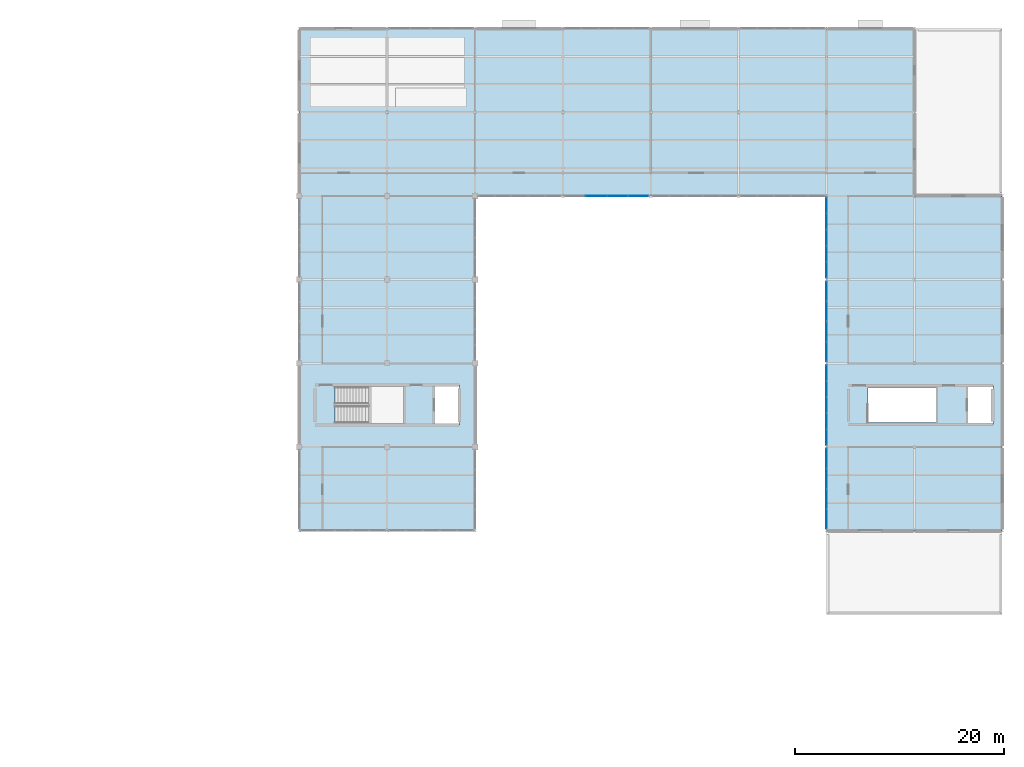
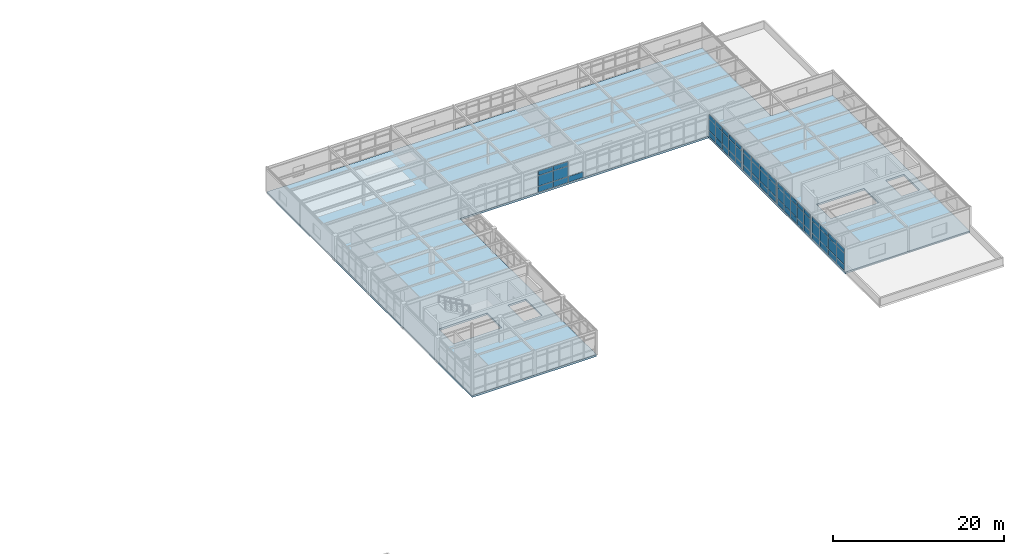
# One storey, part 38 of 53: 61 plates, 1 slab, 5 elements without a shape of their own.
"""IFC4 building model written with IfcOpenShell, lengths in metres."""

import ifcopenshell
import ifcopenshell.guid

model = None  # the IFC model being written
_history = None  # IfcOwnerHistory: only IFC2X3 demands one
_inside = {}  # id of a spatial element -> (the spatial element, [elements in it])
_under = {}  # id of a project, library or spatial element -> (it, [spatial elements below it])
_declared = {}  # id of a project -> (the project, [libraries it declares])
_typed = {}  # id of a type object -> (the type object, [elements of that type])
_made_of = {}  # id of a material, layer set ... -> (it, [elements and type objects made of it])


def new_model(schema):
    """Start an empty IFC model of exactly this schema.

    Asked for "IFC4X3", IfcOpenShell would pick the latest addendum, in which some entities
    have other attributes; the version numbers below select the first issue.
    IFC2X3 requires an IfcOwnerHistory on every rooted entity: one is made here for all.
    """
    global model, _history
    if schema == "IFC4X3":
        model = ifcopenshell.file(schema_version=(4, 3, 0, 0))
    else:
        model = ifcopenshell.file(schema=schema)
    _inside.clear()
    _under.clear()
    _declared.clear()
    _typed.clear()
    _made_of.clear()
    _history = None
    if model.schema == "IFC2X3":
        org = make("IfcOrganization", Name="unknown")
        user = make(
            "IfcPersonAndOrganization",
            ThePerson=make("IfcPerson", FamilyName="unknown"),
            TheOrganization=org,
        )
        app = make(
            "IfcApplication",
            ApplicationDeveloper=org,
            Version="unknown",
            ApplicationFullName="unknown",
            ApplicationIdentifier="unknown",
        )
        _history = make(
            "IfcOwnerHistory",
            OwningUser=user,
            OwningApplication=app,
            ChangeAction="ADDED",
            CreationDate=0,
        )
    return model


def make(cls, **values):
    """One entity of the class cls with the attributes given. An attribute that is None is left unset."""
    return model.create_entity(
        cls, **{name: value for name, value in values.items() if value is not None}
    )


def rooted(cls, **values):
    """An entity with a GlobalId (a new one), such as an element, a storey or a relation."""
    return make(cls, GlobalId=ifcopenshell.guid.new(), OwnerHistory=_history, **values)


def si_unit(unit_type, name, prefix=None):
    """IfcSIUnit, for example si_unit("LENGTHUNIT", "METRE", prefix="MILLI")."""
    return make("IfcSIUnit", UnitType=unit_type, Prefix=prefix, Name=name)


def assignment(units):
    """IfcUnitAssignment: the units of a project."""
    return None if units is None else make("IfcUnitAssignment", Units=units)


def point(xyz):
    """IfcCartesianPoint."""
    return None if xyz is None else make("IfcCartesianPoint", Coordinates=xyz)


def direction(xyz):
    """IfcDirection."""
    return None if xyz is None else make("IfcDirection", DirectionRatios=xyz)


def frame(location, z_axis=None, x_axis=None):
    """IfcAxis2Placement3D, a coordinate frame: its origin and axes. An axis left out is left unset."""
    return make(
        "IfcAxis2Placement3D",
        Location=point(location),
        Axis=direction(z_axis),
        RefDirection=direction(x_axis),
    )


def frame_2d(location, x_axis=None):
    """IfcAxis2Placement2D, a coordinate frame in the plane: its origin and x axis."""
    return make(
        "IfcAxis2Placement2D", Location=point(location), RefDirection=direction(x_axis)
    )


def origin():
    """The frame at (0, 0, 0) with its axes left unset."""
    return frame((0.0, 0.0, 0.0))


def origin_2d():
    """The frame at (0, 0) in the plane with its x axis left unset."""
    return frame_2d((0.0, 0.0))


def place(relative_to, where):
    """IfcLocalPlacement: puts the frame where relative to a parent placement (None: the world)."""
    return make(
        "IfcLocalPlacement", PlacementRelTo=relative_to, RelativePlacement=where
    )


def context(
    kind, dimensions, precision=None, world=None, true_north=None, identifier=None
):
    """IfcGeometricRepresentationContext, for example the 3D "Model" context."""
    return make(
        "IfcGeometricRepresentationContext",
        ContextIdentifier=identifier,
        ContextType=kind,
        CoordinateSpaceDimension=dimensions,
        Precision=precision,
        WorldCoordinateSystem=world,
        TrueNorth=true_north,
    )


def subcontext(parent, identifier, kind, view, scale=None):
    """IfcGeometricRepresentationSubContext, for example "Body" below "Model"."""
    return make(
        "IfcGeometricRepresentationSubContext",
        ContextIdentifier=identifier,
        ContextType=kind,
        ParentContext=parent,
        TargetScale=scale,
        TargetView=view,
    )


def project(units=None, contexts=None):
    """IfcProject with its units and contexts."""
    return rooted(
        "IfcProject",
        Name="project",
        RepresentationContexts=contexts,
        UnitsInContext=assignment(units),
    )


def spatial(cls, under=None, at=None, **own):
    """A site, building, storey or space (cls), placed at a placement, below another one or the project."""
    s = rooted(cls, ObjectPlacement=at, **own)
    if under is not None:
        _under.setdefault(under.id(), (under, []))[1].append(s)
    return s


def polyline(points):
    """IfcPolyline through the points."""
    return make("IfcPolyline", Points=[point(p) for p in points])


def profile(cls, at=None, kind="AREA", **sizes):
    """A parametric profile (cls). Its sizes go by their IFC names, for example OverallWidth=200.0."""
    return make(cls, ProfileType=kind, Position=at, **sizes)


def rectangle(**sizes):
    """IfcRectangleProfileDef."""
    return profile("IfcRectangleProfileDef", **sizes)


def outline(outer, holes=None, kind="AREA"):
    """IfcArbitraryClosedProfileDef: a profile drawn as a closed curve; with holes, ...WithVoids."""
    if holes is None:
        return make("IfcArbitraryClosedProfileDef", ProfileType=kind, OuterCurve=outer)
    return make(
        "IfcArbitraryProfileDefWithVoids",
        ProfileType=kind,
        OuterCurve=outer,
        InnerCurves=holes,
    )


def extrude(swept, where, along, depth):
    """IfcExtrudedAreaSolid: the profile swept, set in the frame where, extruded along a direction by depth."""
    return make(
        "IfcExtrudedAreaSolid",
        SweptArea=swept,
        Position=where,
        ExtrudedDirection=direction(along),
        Depth=depth,
    )


def shape(context_of_items, identifier, shape_type, items):
    """IfcShapeRepresentation: the items that make up one representation, for example the "Body"."""
    return make(
        "IfcShapeRepresentation",
        ContextOfItems=context_of_items,
        RepresentationIdentifier=identifier,
        RepresentationType=shape_type,
        Items=items,
    )


def material(Name=None, Category=None):
    """IfcMaterial."""
    return make("IfcMaterial", Name=Name, Category=Category)


def layer(
    of_material, thickness, ventilated=None, Name=None, Category=None, Priority=None
):
    """IfcMaterialLayer: one layer of a wall or slab, of a material (None: an air gap)."""
    return make(
        "IfcMaterialLayer",
        Material=of_material,
        LayerThickness=thickness,
        IsVentilated=ventilated,
        Name=Name,
        Category=Category,
        Priority=Priority,
    )


def layer_set(layers, Name=None):
    """IfcMaterialLayerSet."""
    return make("IfcMaterialLayerSet", MaterialLayers=layers, LayerSetName=Name)


def made_of(thing, what):
    """Note that an element or type object is made of a material, layer set ...; save() writes the relation."""
    if what is not None:
        _made_of.setdefault(what.id(), (what, []))[1].append(thing)
    return thing


def type_object(cls, material=None, **own):
    """A type object (cls), such as IfcWallType, which elements share."""
    return made_of(rooted(cls, **own), material)


def element(
    cls,
    number,
    at=None,
    inside=None,
    cuts=None,
    type_object=None,
    material=None,
    context=None,
    identifier="Body",
    shape_type=None,
    held_by="IfcProductDefinitionShape",
    body=None,
    shapes=None,
    **own,
):
    """One element of the class cls, such as IfcWall. Its Tag is "e" and its number.

    at: its placement. inside: the storey or other place that contains it. cuts: it is an
    opening in that element (IfcRelVoidsElement). A single representation is given by context,
    identifier, shape_type and body (its items); several are given by shapes. held_by: the class
    of the entity that holds the representations. save() writes the other relations.
    """
    e = rooted(cls, Tag="e%d" % number, ObjectPlacement=at, **own)
    if body is not None:
        shapes = [shape(context, identifier, shape_type, body)]
    if shapes is not None:
        e.Representation = make(held_by, Representations=shapes)
    if inside is not None:
        _inside.setdefault(inside.id(), (inside, []))[1].append(e)
    if cuts is not None:
        rooted(
            "IfcRelVoidsElement", RelatingBuildingElement=cuts, RelatedOpeningElement=e
        )
    if type_object is not None:
        _typed.setdefault(type_object.id(), (type_object, []))[1].append(e)
    return made_of(e, material)


def aggregate(whole, parts):
    """IfcRelAggregates: a whole, such as a stair, and the parts it consists of."""
    return rooted("IfcRelAggregates", RelatingObject=whole, RelatedObjects=parts)


def save(model, path):
    """Write the relations noted so far, then the file.

    IfcRelAggregates (storeys below a building ...), IfcRelContainedInSpatialStructure (elements
    in a storey), IfcRelDefinesByType, IfcRelAssociatesMaterial and IfcRelDeclares: one each for
    every whole, place, type object, material and project.
    """
    for whole, parts in _under.values():
        aggregate(whole, parts)
    for where, things in _inside.values():
        rooted(
            "IfcRelContainedInSpatialStructure",
            RelatedElements=things,
            RelatingStructure=where,
        )
    for kind, things in _typed.values():
        rooted("IfcRelDefinesByType", RelatedObjects=things, RelatingType=kind)
    for what, things in _made_of.values():
        rooted("IfcRelAssociatesMaterial", RelatedObjects=things, RelatingMaterial=what)
    for by, libraries in _declared.values():
        rooted("IfcRelDeclares", RelatingContext=by, RelatedDefinitions=libraries)
    model.write(path)


model = new_model("IFC4")

# Units and contexts
model_context = context("Model", 3, precision=1e-05, world=origin(), true_north=direction((0.0, 1.0)))
body_context = subcontext(model_context, "Body", "Model", "MODEL_VIEW")
ifc_project = project(units=[si_unit("LENGTHUNIT", "METRE"), si_unit("AREAUNIT", "SQUARE_METRE"), si_unit("VOLUMEUNIT", "CUBIC_METRE"), si_unit("PLANEANGLEUNIT", "RADIAN"), si_unit("MASSUNIT", "GRAM", prefix="KILO")], contexts=[model_context])

# Site, building, storey
site_placement = place(None, origin())
site = spatial("IfcSite", under=ifc_project, at=site_placement, CompositionType="ELEMENT")
building_placement = place(site_placement, origin())
building = spatial("IfcBuilding", under=site, at=building_placement, Name="Kranzveld Transit Interchange", CompositionType="ELEMENT")
storey_placement = place(building_placement, frame((0.0, 0.0, 13.360107421875)))
storey = spatial("IfcBuildingStorey", under=building, at=storey_placement, Name="L03", CompositionType="ELEMENT", Elevation=13.360107421875)

# Slab
ifc_material_1 = material(Name="Concrete C35/45", Category="concrete")
ifc_layer_1 = layer(ifc_material_1, 0.27001953125)
ifc_layer_set_1 = layer_set([ifc_layer_1], Name="Concrete C35/45")
slab_type = type_object("IfcSlabType", Name="Composite Floor Slab 270 C35/45", PredefinedType="FLOOR", material=ifc_layer_set_1)
slab_placement = place(storey_placement, frame((0.0, 0.0, -0.27001953125)))
element("IfcSlab", 1, at=slab_placement, inside=storey, type_object=slab_type, Name="L03 Suspended Floor Slab 3", PredefinedType="FLOOR", context=body_context, shape_type="SweptSolid", body=[
    extrude(outline(polyline([(168.0, 64.0), (151.199951171875, 64.0), (151.199951171875, 96.0), (117.60009765625, 96.0), (117.60009765625, 64.0), (100.800048828125, 64.0), (100.800048828125, 112.0), (117.60009765625, 112.0), (159.60009765625, 112.0), (159.60009765625, 96.0), (168.0, 96.0), (168.0, 64.0)]), holes=[polyline([(110.75, 74.27001953125), (110.75, 77.72998046875), (104.218017578125, 77.72998046875), (104.218017578125, 74.27001953125), (110.75, 74.27001953125)]), polyline([(113.64990234375, 77.909912109375), (113.64990234375, 74.090087890625), (116.10009765625, 74.090087890625), (116.10009765625, 77.909912109375), (113.64990234375, 77.909912109375)]), polyline([(161.64990234375, 77.679931640625), (155.16796875, 77.679931640625), (155.16796875, 74.320068359375), (161.64990234375, 74.320068359375), (161.64990234375, 77.679931640625)]), polyline([(164.64990234375, 77.860107421875), (164.64990234375, 74.139892578125), (167.10009765625, 74.139892578125), (167.10009765625, 77.860107421875), (164.64990234375, 77.860107421875)])]), origin(), (0.0, 0.0, 1.0), 0.27001953125),
])

# Curtain wall, plates
ifc_material_2 = material(Name="Bronze-anodised thermally broken aluminium", Category="aluminium")
ifc_layer_2 = layer(ifc_material_2, 0.159912109375)
ifc_layer_set_2 = layer_set([ifc_layer_2], Name="Bronze-anodised thermally broken aluminium")
curtain_wall_type_1 = type_object("IfcCurtainWallType", Name="Bus Boarding Glazed Screen CW-3", PredefinedType="USERDEFINED", material=ifc_layer_set_2)
curtain_wall_1_placement = place(storey_placement, origin())
curtain_wall_1 = element("IfcCurtainWall", 2, at=curtain_wall_1_placement, inside=storey, type_object=curtain_wall_type_1, Name="L03 Curtain Wall 19/J-19/K", ObjectType="CURTAIN WALL", PredefinedType="USERDEFINED")
ifc_material_3 = material(Name="Solar-control double glazing", Category="glass")
ifc_layer_3 = layer(ifc_material_3, 0.031982421875)
ifc_layer_set_3 = layer_set([ifc_layer_3], Name="Solar-control double glazing")
plate_type_1 = type_object("IfcPlateType", Name="Curtain Panel Acoustic Glazing 32", PredefinedType="CURTAIN_PANEL", material=ifc_layer_set_3)
plate_1_placement = place(storey_placement, frame((151.199951171875, 65.112548828125, 0.059814453125), z_axis=(0.0, 0.0, 1.0), x_axis=(0.0, 1.0, 0.0)))
plate_1 = element("IfcPlate", 3, at=plate_1_placement, type_object=plate_type_1, Name="CW-3 panel 1.1", PredefinedType="CURTAIN_PANEL", context=body_context, shape_type="SweptSolid", body=[
    extrude(rectangle(XDim=1.844970703125, YDim=0.031982421875, at=origin_2d()), origin(), (0.0, 0.0, 1.0), 0.81005859375),
])
plate_2_placement = place(storey_placement, frame((151.199951171875, 65.112548828125, 0.929931640625), z_axis=(0.0, 0.0, 1.0), x_axis=(0.0, 1.0, 0.0)))
plate_2 = element("IfcPlate", 4, at=plate_2_placement, type_object=plate_type_1, Name="CW-3 panel 1.2", PredefinedType="CURTAIN_PANEL", context=body_context, shape_type="SweptSolid", body=[
    extrude(rectangle(XDim=1.844970703125, YDim=0.031982421875, at=origin_2d()), origin(), (0.0, 0.0, 1.0), 1.6201171875),
])
plate_3_placement = place(storey_placement, frame((151.199951171875, 65.112548828125, 2.60986328125), z_axis=(0.0, 0.0, 1.0), x_axis=(0.0, 1.0, 0.0)))
plate_3 = element("IfcPlate", 5, at=plate_3_placement, type_object=plate_type_1, Name="CW-3 panel 1.3", PredefinedType="CURTAIN_PANEL", context=body_context, shape_type="SweptSolid", body=[
    extrude(rectangle(XDim=1.844970703125, YDim=0.031982421875, at=origin_2d()), origin(), (0.0, 0.0, 1.0), 0.610107421875),
])
plate_4_placement = place(storey_placement, frame((151.199951171875, 67.032470703125, 0.059814453125), z_axis=(0.0, 0.0, 1.0), x_axis=(0.0, 1.0, 0.0)))
plate_4 = element("IfcPlate", 6, at=plate_4_placement, type_object=plate_type_1, Name="CW-3 panel 2.1", PredefinedType="CURTAIN_PANEL", context=body_context, shape_type="SweptSolid", body=[
    extrude(rectangle(XDim=1.875, YDim=0.031982421875, at=origin_2d()), origin(), (0.0, 0.0, 1.0), 0.81005859375),
])
plate_5_placement = place(storey_placement, frame((151.199951171875, 67.032470703125, 0.929931640625), z_axis=(0.0, 0.0, 1.0), x_axis=(0.0, 1.0, 0.0)))
plate_5 = element("IfcPlate", 7, at=plate_5_placement, type_object=plate_type_1, Name="CW-3 panel 2.2", PredefinedType="CURTAIN_PANEL", context=body_context, shape_type="SweptSolid", body=[
    extrude(rectangle(XDim=1.875, YDim=0.031982421875, at=origin_2d()), origin(), (0.0, 0.0, 1.0), 1.6201171875),
])
plate_6_placement = place(storey_placement, frame((151.199951171875, 67.032470703125, 2.60986328125), z_axis=(0.0, 0.0, 1.0), x_axis=(0.0, 1.0, 0.0)))
plate_6 = element("IfcPlate", 8, at=plate_6_placement, type_object=plate_type_1, Name="CW-3 panel 2.3", PredefinedType="CURTAIN_PANEL", context=body_context, shape_type="SweptSolid", body=[
    extrude(rectangle(XDim=1.875, YDim=0.031982421875, at=origin_2d()), origin(), (0.0, 0.0, 1.0), 0.610107421875),
])
plate_7_placement = place(storey_placement, frame((151.199951171875, 68.967529296875, 0.059814453125), z_axis=(0.0, 0.0, 1.0), x_axis=(0.0, 1.0, 0.0)))
plate_7 = element("IfcPlate", 9, at=plate_7_placement, type_object=plate_type_1, Name="CW-3 panel 3.1", PredefinedType="CURTAIN_PANEL", context=body_context, shape_type="SweptSolid", body=[
    extrude(rectangle(XDim=1.875, YDim=0.031982421875, at=origin_2d()), origin(), (0.0, 0.0, 1.0), 0.81005859375),
])
plate_8_placement = place(storey_placement, frame((151.199951171875, 68.967529296875, 0.929931640625), z_axis=(0.0, 0.0, 1.0), x_axis=(0.0, 1.0, 0.0)))
plate_8 = element("IfcPlate", 10, at=plate_8_placement, type_object=plate_type_1, Name="CW-3 panel 3.2", PredefinedType="CURTAIN_PANEL", context=body_context, shape_type="SweptSolid", body=[
    extrude(rectangle(XDim=1.875, YDim=0.031982421875, at=origin_2d()), origin(), (0.0, 0.0, 1.0), 1.6201171875),
])
plate_9_placement = place(storey_placement, frame((151.199951171875, 68.967529296875, 2.60986328125), z_axis=(0.0, 0.0, 1.0), x_axis=(0.0, 1.0, 0.0)))
plate_9 = element("IfcPlate", 11, at=plate_9_placement, type_object=plate_type_1, Name="CW-3 panel 3.3", PredefinedType="CURTAIN_PANEL", context=body_context, shape_type="SweptSolid", body=[
    extrude(rectangle(XDim=1.875, YDim=0.031982421875, at=origin_2d()), origin(), (0.0, 0.0, 1.0), 0.610107421875),
])
plate_10_placement = place(storey_placement, frame((151.199951171875, 70.887451171875, 0.059814453125), z_axis=(0.0, 0.0, 1.0), x_axis=(0.0, 1.0, 0.0)))
plate_10 = element("IfcPlate", 12, at=plate_10_placement, type_object=plate_type_1, Name="CW-3 panel 4.1", PredefinedType="CURTAIN_PANEL", context=body_context, shape_type="SweptSolid", body=[
    extrude(rectangle(XDim=1.844970703125, YDim=0.031982421875, at=origin_2d()), origin(), (0.0, 0.0, 1.0), 0.81005859375),
])
plate_11_placement = place(storey_placement, frame((151.199951171875, 70.887451171875, 0.929931640625), z_axis=(0.0, 0.0, 1.0), x_axis=(0.0, 1.0, 0.0)))
plate_11 = element("IfcPlate", 13, at=plate_11_placement, type_object=plate_type_1, Name="CW-3 panel 4.2", PredefinedType="CURTAIN_PANEL", context=body_context, shape_type="SweptSolid", body=[
    extrude(rectangle(XDim=1.844970703125, YDim=0.031982421875, at=origin_2d()), origin(), (0.0, 0.0, 1.0), 1.6201171875),
])
plate_12_placement = place(storey_placement, frame((151.199951171875, 70.887451171875, 2.60986328125), z_axis=(0.0, 0.0, 1.0), x_axis=(0.0, 1.0, 0.0)))
plate_12 = element("IfcPlate", 14, at=plate_12_placement, type_object=plate_type_1, Name="CW-3 panel 4.3", PredefinedType="CURTAIN_PANEL", context=body_context, shape_type="SweptSolid", body=[
    extrude(rectangle(XDim=1.844970703125, YDim=0.031982421875, at=origin_2d()), origin(), (0.0, 0.0, 1.0), 0.610107421875),
])
aggregate(curtain_wall_1, [plate_1, plate_2, plate_3, plate_4, plate_5, plate_6, plate_7, plate_8, plate_9, plate_10, plate_11, plate_12])

ifc_material_4 = material(Name="Bronze-anodised thermally broken aluminium", Category="aluminium")
ifc_layer_4 = layer(ifc_material_4, 0.14990234375)
ifc_layer_set_4 = layer_set([ifc_layer_4], Name="Bronze-anodised thermally broken aluminium")
curtain_wall_type_2 = type_object("IfcCurtainWallType", Name="Public Passage Clerestory Screen CW-4", PredefinedType="USERDEFINED", material=ifc_layer_set_4)
curtain_wall_2_placement = place(storey_placement, origin())
curtain_wall_2 = element("IfcCurtainWall", 15, at=curtain_wall_2_placement, inside=storey, type_object=curtain_wall_type_2, Name="L03 Curtain Wall 19/K-19/L", ObjectType="CURTAIN WALL", PredefinedType="USERDEFINED")
ifc_material_5 = material(Name="Solar-control double glazing", Category="glass")
ifc_layer_5 = layer(ifc_material_5, 0.0419921875)
ifc_layer_set_5 = layer_set([ifc_layer_5], Name="Solar-control double glazing")
plate_type_2 = type_object("IfcPlateType", Name="Curtain Panel Laminated Glazing 42", PredefinedType="CURTAIN_PANEL", material=ifc_layer_set_5)
plate_13_placement = place(storey_placement, frame((151.199951171875, 72.919189453125, 0.059814453125), z_axis=(0.0, 0.0, 1.0), x_axis=(0.0, 1.0, 0.0)))
plate_13 = element("IfcPlate", 16, at=plate_13_placement, type_object=plate_type_2, Name="CW-4 panel 1.1", PredefinedType="CURTAIN_PANEL", context=body_context, shape_type="SweptSolid", body=[
    extrude(rectangle(XDim=1.4580078125, YDim=0.0419921875, at=origin_2d()), origin(), (0.0, 0.0, 1.0), 0.81005859375),
])
plate_14_placement = place(storey_placement, frame((151.199951171875, 72.919189453125, 0.929931640625), z_axis=(0.0, 0.0, 1.0), x_axis=(0.0, 1.0, 0.0)))
plate_14 = element("IfcPlate", 17, at=plate_14_placement, type_object=plate_type_2, Name="CW-4 panel 1.2", PredefinedType="CURTAIN_PANEL", context=body_context, shape_type="SweptSolid", body=[
    extrude(rectangle(XDim=1.4580078125, YDim=0.0419921875, at=origin_2d()), origin(), (0.0, 0.0, 1.0), 1.6201171875),
])
plate_15_placement = place(storey_placement, frame((151.199951171875, 72.919189453125, 2.60986328125), z_axis=(0.0, 0.0, 1.0), x_axis=(0.0, 1.0, 0.0)))
plate_15 = element("IfcPlate", 18, at=plate_15_placement, type_object=plate_type_2, Name="CW-4 panel 1.3", PredefinedType="CURTAIN_PANEL", context=body_context, shape_type="SweptSolid", body=[
    extrude(rectangle(XDim=1.4580078125, YDim=0.0419921875, at=origin_2d()), origin(), (0.0, 0.0, 1.0), 0.610107421875),
])
plate_16_placement = place(storey_placement, frame((151.199951171875, 74.4521484375, 0.059814453125), z_axis=(0.0, 0.0, 1.0), x_axis=(0.0, 1.0, 0.0)))
plate_16 = element("IfcPlate", 19, at=plate_16_placement, type_object=plate_type_2, Name="CW-4 panel 2.1", PredefinedType="CURTAIN_PANEL", context=body_context, shape_type="SweptSolid", body=[
    extrude(rectangle(XDim=1.488037109375, YDim=0.0419921875, at=origin_2d()), origin(), (0.0, 0.0, 1.0), 0.81005859375),
])
plate_17_placement = place(storey_placement, frame((151.199951171875, 74.4521484375, 0.929931640625), z_axis=(0.0, 0.0, 1.0), x_axis=(0.0, 1.0, 0.0)))
plate_17 = element("IfcPlate", 20, at=plate_17_placement, type_object=plate_type_2, Name="CW-4 panel 2.2", PredefinedType="CURTAIN_PANEL", context=body_context, shape_type="SweptSolid", body=[
    extrude(rectangle(XDim=1.488037109375, YDim=0.0419921875, at=origin_2d()), origin(), (0.0, 0.0, 1.0), 1.6201171875),
])
plate_18_placement = place(storey_placement, frame((151.199951171875, 74.4521484375, 2.60986328125), z_axis=(0.0, 0.0, 1.0), x_axis=(0.0, 1.0, 0.0)))
plate_18 = element("IfcPlate", 21, at=plate_18_placement, type_object=plate_type_2, Name="CW-4 panel 2.3", PredefinedType="CURTAIN_PANEL", context=body_context, shape_type="SweptSolid", body=[
    extrude(rectangle(XDim=1.488037109375, YDim=0.0419921875, at=origin_2d()), origin(), (0.0, 0.0, 1.0), 0.610107421875),
])
plate_19_placement = place(storey_placement, frame((151.199951171875, 76.0, 0.059814453125), z_axis=(0.0, 0.0, 1.0), x_axis=(0.0, 1.0, 0.0)))
plate_19 = element("IfcPlate", 22, at=plate_19_placement, type_object=plate_type_2, Name="CW-4 panel 3.1", PredefinedType="CURTAIN_PANEL", context=body_context, shape_type="SweptSolid", body=[
    extrude(rectangle(XDim=1.488037109375, YDim=0.0419921875, at=origin_2d()), origin(), (0.0, 0.0, 1.0), 0.81005859375),
])
plate_20_placement = place(storey_placement, frame((151.199951171875, 76.0, 0.929931640625), z_axis=(0.0, 0.0, 1.0), x_axis=(0.0, 1.0, 0.0)))
plate_20 = element("IfcPlate", 23, at=plate_20_placement, type_object=plate_type_2, Name="CW-4 panel 3.2", PredefinedType="CURTAIN_PANEL", context=body_context, shape_type="SweptSolid", body=[
    extrude(rectangle(XDim=1.488037109375, YDim=0.0419921875, at=origin_2d()), origin(), (0.0, 0.0, 1.0), 1.6201171875),
])
plate_21_placement = place(storey_placement, frame((151.199951171875, 76.0, 2.60986328125), z_axis=(0.0, 0.0, 1.0), x_axis=(0.0, 1.0, 0.0)))
plate_21 = element("IfcPlate", 24, at=plate_21_placement, type_object=plate_type_2, Name="CW-4 panel 3.3", PredefinedType="CURTAIN_PANEL", context=body_context, shape_type="SweptSolid", body=[
    extrude(rectangle(XDim=1.488037109375, YDim=0.0419921875, at=origin_2d()), origin(), (0.0, 0.0, 1.0), 0.610107421875),
])
plate_22_placement = place(storey_placement, frame((151.199951171875, 77.5478515625, 0.059814453125), z_axis=(0.0, 0.0, 1.0), x_axis=(0.0, 1.0, 0.0)))
plate_22 = element("IfcPlate", 25, at=plate_22_placement, type_object=plate_type_2, Name="CW-4 panel 4.1", PredefinedType="CURTAIN_PANEL", context=body_context, shape_type="SweptSolid", body=[
    extrude(rectangle(XDim=1.488037109375, YDim=0.0419921875, at=origin_2d()), origin(), (0.0, 0.0, 1.0), 0.81005859375),
])
plate_23_placement = place(storey_placement, frame((151.199951171875, 77.5478515625, 0.929931640625), z_axis=(0.0, 0.0, 1.0), x_axis=(0.0, 1.0, 0.0)))
plate_23 = element("IfcPlate", 26, at=plate_23_placement, type_object=plate_type_2, Name="CW-4 panel 4.2", PredefinedType="CURTAIN_PANEL", context=body_context, shape_type="SweptSolid", body=[
    extrude(rectangle(XDim=1.488037109375, YDim=0.0419921875, at=origin_2d()), origin(), (0.0, 0.0, 1.0), 1.6201171875),
])
plate_24_placement = place(storey_placement, frame((151.199951171875, 77.5478515625, 2.60986328125), z_axis=(0.0, 0.0, 1.0), x_axis=(0.0, 1.0, 0.0)))
plate_24 = element("IfcPlate", 27, at=plate_24_placement, type_object=plate_type_2, Name="CW-4 panel 4.3", PredefinedType="CURTAIN_PANEL", context=body_context, shape_type="SweptSolid", body=[
    extrude(rectangle(XDim=1.488037109375, YDim=0.0419921875, at=origin_2d()), origin(), (0.0, 0.0, 1.0), 0.610107421875),
])
plate_25_placement = place(storey_placement, frame((151.199951171875, 79.080810546875, 0.059814453125), z_axis=(0.0, 0.0, 1.0), x_axis=(0.0, 1.0, 0.0)))
plate_25 = element("IfcPlate", 28, at=plate_25_placement, type_object=plate_type_2, Name="CW-4 panel 5.1", PredefinedType="CURTAIN_PANEL", context=body_context, shape_type="SweptSolid", body=[
    extrude(rectangle(XDim=1.4580078125, YDim=0.0419921875, at=origin_2d()), origin(), (0.0, 0.0, 1.0), 0.81005859375),
])
plate_26_placement = place(storey_placement, frame((151.199951171875, 79.080810546875, 0.929931640625), z_axis=(0.0, 0.0, 1.0), x_axis=(0.0, 1.0, 0.0)))
plate_26 = element("IfcPlate", 29, at=plate_26_placement, type_object=plate_type_2, Name="CW-4 panel 5.2", PredefinedType="CURTAIN_PANEL", context=body_context, shape_type="SweptSolid", body=[
    extrude(rectangle(XDim=1.4580078125, YDim=0.0419921875, at=origin_2d()), origin(), (0.0, 0.0, 1.0), 1.6201171875),
])
plate_27_placement = place(storey_placement, frame((151.199951171875, 79.080810546875, 2.60986328125), z_axis=(0.0, 0.0, 1.0), x_axis=(0.0, 1.0, 0.0)))
plate_27 = element("IfcPlate", 30, at=plate_27_placement, type_object=plate_type_2, Name="CW-4 panel 5.3", PredefinedType="CURTAIN_PANEL", context=body_context, shape_type="SweptSolid", body=[
    extrude(rectangle(XDim=1.4580078125, YDim=0.0419921875, at=origin_2d()), origin(), (0.0, 0.0, 1.0), 0.610107421875),
])
aggregate(curtain_wall_2, [plate_13, plate_14, plate_15, plate_16, plate_17, plate_18, plate_19, plate_20, plate_21, plate_22, plate_23, plate_24, plate_25, plate_26, plate_27])

ifc_material_6 = material(Name="Bronze-anodised thermally broken aluminium", Category="aluminium")
ifc_layer_6 = layer(ifc_material_6, 0.18505859375)
ifc_layer_set_6 = layer_set([ifc_layer_6], Name="Bronze-anodised thermally broken aluminium")
curtain_wall_type_3 = type_object("IfcCurtainWallType", Name="Control Crown Observation Facade CW-5", PredefinedType="USERDEFINED", material=ifc_layer_set_6)
curtain_wall_3_placement = place(storey_placement, origin())
curtain_wall_3 = element("IfcCurtainWall", 31, at=curtain_wall_3_placement, inside=storey, type_object=curtain_wall_type_3, Name="L03 Curtain Wall 19/L-19/M", ObjectType="CURTAIN WALL", PredefinedType="USERDEFINED")
ifc_material_7 = material(Name="Solar-control double glazing", Category="glass")
ifc_layer_7 = layer(ifc_material_7, 0.035888671875)
ifc_layer_set_7 = layer_set([ifc_layer_7], Name="Solar-control double glazing")
plate_type_3 = type_object("IfcPlateType", Name="Curtain Panel Triple Glazing 36", PredefinedType="CURTAIN_PANEL", material=ifc_layer_set_7)
plate_28_placement = place(storey_placement, frame((151.199951171875, 81.11376953125, 0.06494140625), z_axis=(0.0, 0.0, 1.0), x_axis=(0.0, 1.0, 0.0)))
plate_28 = element("IfcPlate", 32, at=plate_28_placement, type_object=plate_type_3, Name="CW-5 panel 1.1", PredefinedType="CURTAIN_PANEL", context=body_context, shape_type="SweptSolid", body=[
    extrude(rectangle(XDim=1.83740234375, YDim=0.035888671875, at=origin_2d()), origin(), (0.0, 0.0, 1.0), 0.802490234375),
])
plate_29_placement = place(storey_placement, frame((151.199951171875, 81.11376953125, 0.9326171875), z_axis=(0.0, 0.0, 1.0), x_axis=(0.0, 1.0, 0.0)))
plate_29 = element("IfcPlate", 33, at=plate_29_placement, type_object=plate_type_3, Name="CW-5 panel 1.2", PredefinedType="CURTAIN_PANEL", context=body_context, shape_type="SweptSolid", body=[
    extrude(rectangle(XDim=1.83740234375, YDim=0.035888671875, at=origin_2d()), origin(), (0.0, 0.0, 1.0), 1.614990234375),
])
plate_30_placement = place(storey_placement, frame((151.199951171875, 81.11376953125, 2.6123046875), z_axis=(0.0, 0.0, 1.0), x_axis=(0.0, 1.0, 0.0)))
plate_30 = element("IfcPlate", 34, at=plate_30_placement, type_object=plate_type_3, Name="CW-5 panel 1.3", PredefinedType="CURTAIN_PANEL", context=body_context, shape_type="SweptSolid", body=[
    extrude(rectangle(XDim=1.83740234375, YDim=0.035888671875, at=origin_2d()), origin(), (0.0, 0.0, 1.0), 0.6025390625),
])
plate_31_placement = place(storey_placement, frame((151.199951171875, 83.032470703125, 0.06494140625), z_axis=(0.0, 0.0, 1.0), x_axis=(0.0, 1.0, 0.0)))
plate_31 = element("IfcPlate", 35, at=plate_31_placement, type_object=plate_type_3, Name="CW-5 panel 2.1", PredefinedType="CURTAIN_PANEL", context=body_context, shape_type="SweptSolid", body=[
    extrude(rectangle(XDim=1.869873046875, YDim=0.035888671875, at=origin_2d()), origin(), (0.0, 0.0, 1.0), 0.802490234375),
])
plate_32_placement = place(storey_placement, frame((151.199951171875, 83.032470703125, 0.9326171875), z_axis=(0.0, 0.0, 1.0), x_axis=(0.0, 1.0, 0.0)))
plate_32 = element("IfcPlate", 36, at=plate_32_placement, type_object=plate_type_3, Name="CW-5 panel 2.2", PredefinedType="CURTAIN_PANEL", context=body_context, shape_type="SweptSolid", body=[
    extrude(rectangle(XDim=1.869873046875, YDim=0.035888671875, at=origin_2d()), origin(), (0.0, 0.0, 1.0), 1.614990234375),
])
plate_33_placement = place(storey_placement, frame((151.199951171875, 83.032470703125, 2.6123046875), z_axis=(0.0, 0.0, 1.0), x_axis=(0.0, 1.0, 0.0)))
plate_33 = element("IfcPlate", 37, at=plate_33_placement, type_object=plate_type_3, Name="CW-5 panel 2.3", PredefinedType="CURTAIN_PANEL", context=body_context, shape_type="SweptSolid", body=[
    extrude(rectangle(XDim=1.869873046875, YDim=0.035888671875, at=origin_2d()), origin(), (0.0, 0.0, 1.0), 0.6025390625),
])
plate_34_placement = place(storey_placement, frame((151.199951171875, 84.967529296875, 0.06494140625), z_axis=(0.0, 0.0, 1.0), x_axis=(0.0, 1.0, 0.0)))
plate_34 = element("IfcPlate", 38, at=plate_34_placement, type_object=plate_type_3, Name="CW-5 panel 3.1", PredefinedType="CURTAIN_PANEL", context=body_context, shape_type="SweptSolid", body=[
    extrude(rectangle(XDim=1.869873046875, YDim=0.035888671875, at=origin_2d()), origin(), (0.0, 0.0, 1.0), 0.802490234375),
])
plate_35_placement = place(storey_placement, frame((151.199951171875, 84.967529296875, 0.9326171875), z_axis=(0.0, 0.0, 1.0), x_axis=(0.0, 1.0, 0.0)))
plate_35 = element("IfcPlate", 39, at=plate_35_placement, type_object=plate_type_3, Name="CW-5 panel 3.2", PredefinedType="CURTAIN_PANEL", context=body_context, shape_type="SweptSolid", body=[
    extrude(rectangle(XDim=1.869873046875, YDim=0.035888671875, at=origin_2d()), origin(), (0.0, 0.0, 1.0), 1.614990234375),
])
plate_36_placement = place(storey_placement, frame((151.199951171875, 84.967529296875, 2.6123046875), z_axis=(0.0, 0.0, 1.0), x_axis=(0.0, 1.0, 0.0)))
plate_36 = element("IfcPlate", 40, at=plate_36_placement, type_object=plate_type_3, Name="CW-5 panel 3.3", PredefinedType="CURTAIN_PANEL", context=body_context, shape_type="SweptSolid", body=[
    extrude(rectangle(XDim=1.869873046875, YDim=0.035888671875, at=origin_2d()), origin(), (0.0, 0.0, 1.0), 0.6025390625),
])
plate_37_placement = place(storey_placement, frame((151.199951171875, 86.88623046875, 0.06494140625), z_axis=(0.0, 0.0, 1.0), x_axis=(0.0, 1.0, 0.0)))
plate_37 = element("IfcPlate", 41, at=plate_37_placement, type_object=plate_type_3, Name="CW-5 panel 4.1", PredefinedType="CURTAIN_PANEL", context=body_context, shape_type="SweptSolid", body=[
    extrude(rectangle(XDim=1.83740234375, YDim=0.035888671875, at=origin_2d()), origin(), (0.0, 0.0, 1.0), 0.802490234375),
])
plate_38_placement = place(storey_placement, frame((151.199951171875, 86.88623046875, 0.9326171875), z_axis=(0.0, 0.0, 1.0), x_axis=(0.0, 1.0, 0.0)))
plate_38 = element("IfcPlate", 42, at=plate_38_placement, type_object=plate_type_3, Name="CW-5 panel 4.2", PredefinedType="CURTAIN_PANEL", context=body_context, shape_type="SweptSolid", body=[
    extrude(rectangle(XDim=1.83740234375, YDim=0.035888671875, at=origin_2d()), origin(), (0.0, 0.0, 1.0), 1.614990234375),
])
plate_39_placement = place(storey_placement, frame((151.199951171875, 86.88623046875, 2.6123046875), z_axis=(0.0, 0.0, 1.0), x_axis=(0.0, 1.0, 0.0)))
plate_39 = element("IfcPlate", 43, at=plate_39_placement, type_object=plate_type_3, Name="CW-5 panel 4.3", PredefinedType="CURTAIN_PANEL", context=body_context, shape_type="SweptSolid", body=[
    extrude(rectangle(XDim=1.83740234375, YDim=0.035888671875, at=origin_2d()), origin(), (0.0, 0.0, 1.0), 0.6025390625),
])
aggregate(curtain_wall_3, [plate_28, plate_29, plate_30, plate_31, plate_32, plate_33, plate_34, plate_35, plate_36, plate_37, plate_38, plate_39])

curtain_wall_4_placement = place(storey_placement, origin())
curtain_wall_4 = element("IfcCurtainWall", 44, at=curtain_wall_4_placement, inside=storey, type_object=curtain_wall_type_1, Name="L03 Curtain Wall 16/N-17/N", ObjectType="CURTAIN WALL", PredefinedType="USERDEFINED")
ifc_material_8 = material(Name="Bronze-anodised thermally broken aluminium", Category="aluminium")
ifc_layer_8 = layer(ifc_material_8, 0.053955078125)
ifc_layer_set_8 = layer_set([ifc_layer_8], Name="Bronze-anodised thermally broken aluminium")
plate_type_4 = type_object("IfcPlateType", Name="Curtain Spandrel Insulated Alu 54", PredefinedType="CURTAIN_PANEL", material=ifc_layer_set_8)
plate_40_placement = place(storey_placement, frame((129.18212890625, 96.0, 0.06494140625), z_axis=(0.0, 0.0, 1.0), x_axis=(1.0, 0.0, 0.0)))
plate_40 = element("IfcPlate", 45, at=plate_40_placement, type_object=plate_type_4, Name="CW-3 panel 2.1", PredefinedType="CURTAIN_PANEL", context=body_context, shape_type="SweptSolid", body=[
    extrude(rectangle(XDim=1.975830078125, YDim=0.053955078125, at=origin_2d()), origin(), (0.0, 0.0, 1.0), 0.802490234375),
])
plate_41_placement = place(storey_placement, frame((129.18212890625, 96.0, 0.932373046875), z_axis=(0.0, 0.0, 1.0), x_axis=(1.0, 0.0, 0.0)))
plate_41 = element("IfcPlate", 46, at=plate_41_placement, type_object=plate_type_4, Name="CW-3 panel 2.2", PredefinedType="CURTAIN_PANEL", context=body_context, shape_type="SweptSolid", body=[
    extrude(rectangle(XDim=1.975830078125, YDim=0.053955078125, at=origin_2d()), origin(), (0.0, 0.0, 1.0), 1.4580078125),
])
plate_42_placement = place(storey_placement, frame((129.18212890625, 96.0, 2.455322265625), z_axis=(0.0, 0.0, 1.0), x_axis=(1.0, 0.0, 0.0)))
plate_42 = element("IfcPlate", 47, at=plate_42_placement, type_object=plate_type_4, Name="CW-3 panel 2.3", PredefinedType="CURTAIN_PANEL", context=body_context, shape_type="SweptSolid", body=[
    extrude(rectangle(XDim=1.975830078125, YDim=0.053955078125, at=origin_2d()), origin(), (0.0, 0.0, 1.0), 0.6025390625),
])
plate_43_placement = place(storey_placement, frame((131.218017578125, 96.0, 0.06494140625), z_axis=(0.0, 0.0, 1.0), x_axis=(1.0, 0.0, 0.0)))
plate_43 = element("IfcPlate", 48, at=plate_43_placement, type_object=plate_type_4, Name="CW-3 panel 3.1", PredefinedType="CURTAIN_PANEL", context=body_context, shape_type="SweptSolid", body=[
    extrude(rectangle(XDim=1.975830078125, YDim=0.053955078125, at=origin_2d()), origin(), (0.0, 0.0, 1.0), 0.802490234375),
])
plate_44_placement = place(storey_placement, frame((131.218017578125, 96.0, 0.932373046875), z_axis=(0.0, 0.0, 1.0), x_axis=(1.0, 0.0, 0.0)))
plate_44 = element("IfcPlate", 49, at=plate_44_placement, type_object=plate_type_4, Name="CW-3 panel 3.2", PredefinedType="CURTAIN_PANEL", context=body_context, shape_type="SweptSolid", body=[
    extrude(rectangle(XDim=1.975830078125, YDim=0.053955078125, at=origin_2d()), origin(), (0.0, 0.0, 1.0), 1.4580078125),
])
plate_45_placement = place(storey_placement, frame((131.218017578125, 96.0, 2.455322265625), z_axis=(0.0, 0.0, 1.0), x_axis=(1.0, 0.0, 0.0)))
plate_45 = element("IfcPlate", 50, at=plate_45_placement, type_object=plate_type_4, Name="CW-3 panel 3.3", PredefinedType="CURTAIN_PANEL", context=body_context, shape_type="SweptSolid", body=[
    extrude(rectangle(XDim=1.975830078125, YDim=0.053955078125, at=origin_2d()), origin(), (0.0, 0.0, 1.0), 0.6025390625),
])
plate_46_placement = place(storey_placement, frame((133.239013671875, 96.0, 0.06494140625), z_axis=(0.0, 0.0, 1.0), x_axis=(1.0, 0.0, 0.0)))
plate_46 = element("IfcPlate", 51, at=plate_46_placement, type_object=plate_type_4, Name="CW-3 panel 4.1", PredefinedType="CURTAIN_PANEL", context=body_context, shape_type="SweptSolid", body=[
    extrude(rectangle(XDim=1.946044921875, YDim=0.053955078125, at=origin_2d()), origin(), (0.0, 0.0, 1.0), 0.802490234375),
])
aggregate(curtain_wall_4, [plate_40, plate_41, plate_42, plate_43, plate_44, plate_45, plate_46])

ifc_material_9 = material(Name="Bronze-anodised thermally broken aluminium", Category="aluminium")
ifc_layer_9 = layer(ifc_material_9, 0.155029296875)
ifc_layer_set_9 = layer_set([ifc_layer_9], Name="Bronze-anodised thermally broken aluminium")
curtain_wall_type_4 = type_object("IfcCurtainWallType", Name="Operations Courtyard Glazed Screen CW-6", PredefinedType="USERDEFINED", material=ifc_layer_set_9)
curtain_wall_5_placement = place(storey_placement, origin())
curtain_wall_5 = element("IfcCurtainWall", 52, at=curtain_wall_5_placement, inside=storey, type_object=curtain_wall_type_4, Name="L03 Curtain Wall 19/M-19/N", ObjectType="CURTAIN WALL", PredefinedType="USERDEFINED")
ifc_material_10 = material(Name="Ochre Pretoria sandstone cladding, 45 MPa", Category="masonry")
ifc_layer_10 = layer(ifc_material_10, 0.0458984375)
ifc_layer_set_10 = layer_set([ifc_layer_10], Name="Ochre Pretoria sandstone cladding, 45 MPa")
plate_type_5 = type_object("IfcPlateType", Name="Curtain Spandrel Sandstone 46", PredefinedType="CURTAIN_PANEL", material=ifc_layer_set_10)
plate_47_placement = place(storey_placement, frame((151.199951171875, 88.92041015625, 0.059814453125), z_axis=(0.0, 0.0, 1.0), x_axis=(0.0, 1.0, 0.0)))
plate_47 = element("IfcPlate", 53, at=plate_47_placement, type_object=plate_type_5, Name="CW-6 panel 1.1", PredefinedType="CURTAIN_PANEL", context=body_context, shape_type="SweptSolid", body=[
    extrude(rectangle(XDim=1.450439453125, YDim=0.0458984375, at=origin_2d()), origin(), (0.0, 0.0, 1.0), 0.81005859375),
])
plate_48_placement = place(storey_placement, frame((151.199951171875, 88.92041015625, 0.929931640625), z_axis=(0.0, 0.0, 1.0), x_axis=(0.0, 1.0, 0.0)))
plate_48 = element("IfcPlate", 54, at=plate_48_placement, type_object=plate_type_5, Name="CW-6 panel 1.2", PredefinedType="CURTAIN_PANEL", context=body_context, shape_type="SweptSolid", body=[
    extrude(rectangle(XDim=1.450439453125, YDim=0.0458984375, at=origin_2d()), origin(), (0.0, 0.0, 1.0), 1.6201171875),
])
plate_49_placement = place(storey_placement, frame((151.199951171875, 88.92041015625, 2.60986328125), z_axis=(0.0, 0.0, 1.0), x_axis=(0.0, 1.0, 0.0)))
plate_49 = element("IfcPlate", 55, at=plate_49_placement, type_object=plate_type_5, Name="CW-6 panel 1.3", PredefinedType="CURTAIN_PANEL", context=body_context, shape_type="SweptSolid", body=[
    extrude(rectangle(XDim=1.450439453125, YDim=0.0458984375, at=origin_2d()), origin(), (0.0, 0.0, 1.0), 0.610107421875),
])
plate_50_placement = place(storey_placement, frame((151.199951171875, 90.4521484375, 0.059814453125), z_axis=(0.0, 0.0, 1.0), x_axis=(0.0, 1.0, 0.0)))
plate_50 = element("IfcPlate", 56, at=plate_50_placement, type_object=plate_type_5, Name="CW-6 panel 2.1", PredefinedType="CURTAIN_PANEL", context=body_context, shape_type="SweptSolid", body=[
    extrude(rectangle(XDim=1.48291015625, YDim=0.0458984375, at=origin_2d()), origin(), (0.0, 0.0, 1.0), 0.81005859375),
])
plate_51_placement = place(storey_placement, frame((151.199951171875, 90.4521484375, 0.929931640625), z_axis=(0.0, 0.0, 1.0), x_axis=(0.0, 1.0, 0.0)))
plate_51 = element("IfcPlate", 57, at=plate_51_placement, type_object=plate_type_5, Name="CW-6 panel 2.2", PredefinedType="CURTAIN_PANEL", context=body_context, shape_type="SweptSolid", body=[
    extrude(rectangle(XDim=1.48291015625, YDim=0.0458984375, at=origin_2d()), origin(), (0.0, 0.0, 1.0), 1.6201171875),
])
plate_52_placement = place(storey_placement, frame((151.199951171875, 90.4521484375, 2.60986328125), z_axis=(0.0, 0.0, 1.0), x_axis=(0.0, 1.0, 0.0)))
plate_52 = element("IfcPlate", 58, at=plate_52_placement, type_object=plate_type_5, Name="CW-6 panel 2.3", PredefinedType="CURTAIN_PANEL", context=body_context, shape_type="SweptSolid", body=[
    extrude(rectangle(XDim=1.48291015625, YDim=0.0458984375, at=origin_2d()), origin(), (0.0, 0.0, 1.0), 0.610107421875),
])
plate_53_placement = place(storey_placement, frame((151.199951171875, 92.0, 0.059814453125), z_axis=(0.0, 0.0, 1.0), x_axis=(0.0, 1.0, 0.0)))
plate_53 = element("IfcPlate", 59, at=plate_53_placement, type_object=plate_type_5, Name="CW-6 panel 3.1", PredefinedType="CURTAIN_PANEL", context=body_context, shape_type="SweptSolid", body=[
    extrude(rectangle(XDim=1.48291015625, YDim=0.0458984375, at=origin_2d()), origin(), (0.0, 0.0, 1.0), 0.81005859375),
])
plate_54_placement = place(storey_placement, frame((151.199951171875, 92.0, 0.929931640625), z_axis=(0.0, 0.0, 1.0), x_axis=(0.0, 1.0, 0.0)))
plate_54 = element("IfcPlate", 60, at=plate_54_placement, type_object=plate_type_5, Name="CW-6 panel 3.2", PredefinedType="CURTAIN_PANEL", context=body_context, shape_type="SweptSolid", body=[
    extrude(rectangle(XDim=1.48291015625, YDim=0.0458984375, at=origin_2d()), origin(), (0.0, 0.0, 1.0), 1.6201171875),
])
plate_55_placement = place(storey_placement, frame((151.199951171875, 92.0, 2.60986328125), z_axis=(0.0, 0.0, 1.0), x_axis=(0.0, 1.0, 0.0)))
plate_55 = element("IfcPlate", 61, at=plate_55_placement, type_object=plate_type_5, Name="CW-6 panel 3.3", PredefinedType="CURTAIN_PANEL", context=body_context, shape_type="SweptSolid", body=[
    extrude(rectangle(XDim=1.48291015625, YDim=0.0458984375, at=origin_2d()), origin(), (0.0, 0.0, 1.0), 0.610107421875),
])
plate_56_placement = place(storey_placement, frame((151.199951171875, 93.5478515625, 0.059814453125), z_axis=(0.0, 0.0, 1.0), x_axis=(0.0, 1.0, 0.0)))
plate_56 = element("IfcPlate", 62, at=plate_56_placement, type_object=plate_type_5, Name="CW-6 panel 4.1", PredefinedType="CURTAIN_PANEL", context=body_context, shape_type="SweptSolid", body=[
    extrude(rectangle(XDim=1.48291015625, YDim=0.0458984375, at=origin_2d()), origin(), (0.0, 0.0, 1.0), 0.81005859375),
])
plate_57_placement = place(storey_placement, frame((151.199951171875, 93.5478515625, 0.929931640625), z_axis=(0.0, 0.0, 1.0), x_axis=(0.0, 1.0, 0.0)))
plate_57 = element("IfcPlate", 63, at=plate_57_placement, type_object=plate_type_5, Name="CW-6 panel 4.2", PredefinedType="CURTAIN_PANEL", context=body_context, shape_type="SweptSolid", body=[
    extrude(rectangle(XDim=1.48291015625, YDim=0.0458984375, at=origin_2d()), origin(), (0.0, 0.0, 1.0), 1.6201171875),
])
plate_58_placement = place(storey_placement, frame((151.199951171875, 93.5478515625, 2.60986328125), z_axis=(0.0, 0.0, 1.0), x_axis=(0.0, 1.0, 0.0)))
plate_58 = element("IfcPlate", 64, at=plate_58_placement, type_object=plate_type_5, Name="CW-6 panel 4.3", PredefinedType="CURTAIN_PANEL", context=body_context, shape_type="SweptSolid", body=[
    extrude(rectangle(XDim=1.48291015625, YDim=0.0458984375, at=origin_2d()), origin(), (0.0, 0.0, 1.0), 0.610107421875),
])
plate_59_placement = place(storey_placement, frame((151.199951171875, 95.07958984375, 0.059814453125), z_axis=(0.0, 0.0, 1.0), x_axis=(0.0, 1.0, 0.0)))
plate_59 = element("IfcPlate", 65, at=plate_59_placement, type_object=plate_type_5, Name="CW-6 panel 5.1", PredefinedType="CURTAIN_PANEL", context=body_context, shape_type="SweptSolid", body=[
    extrude(rectangle(XDim=1.450439453125, YDim=0.0458984375, at=origin_2d()), origin(), (0.0, 0.0, 1.0), 0.81005859375),
])
plate_60_placement = place(storey_placement, frame((151.199951171875, 95.07958984375, 0.929931640625), z_axis=(0.0, 0.0, 1.0), x_axis=(0.0, 1.0, 0.0)))
plate_60 = element("IfcPlate", 66, at=plate_60_placement, type_object=plate_type_5, Name="CW-6 panel 5.2", PredefinedType="CURTAIN_PANEL", context=body_context, shape_type="SweptSolid", body=[
    extrude(rectangle(XDim=1.450439453125, YDim=0.0458984375, at=origin_2d()), origin(), (0.0, 0.0, 1.0), 1.6201171875),
])
plate_61_placement = place(storey_placement, frame((151.199951171875, 95.07958984375, 2.60986328125), z_axis=(0.0, 0.0, 1.0), x_axis=(0.0, 1.0, 0.0)))
plate_61 = element("IfcPlate", 67, at=plate_61_placement, type_object=plate_type_5, Name="CW-6 panel 5.3", PredefinedType="CURTAIN_PANEL", context=body_context, shape_type="SweptSolid", body=[
    extrude(rectangle(XDim=1.450439453125, YDim=0.0458984375, at=origin_2d()), origin(), (0.0, 0.0, 1.0), 0.610107421875),
])
aggregate(curtain_wall_5, [plate_47, plate_48, plate_49, plate_50, plate_51, plate_52, plate_53, plate_54, plate_55, plate_56, plate_57, plate_58, plate_59, plate_60, plate_61])

save(model, "model.ifc")
